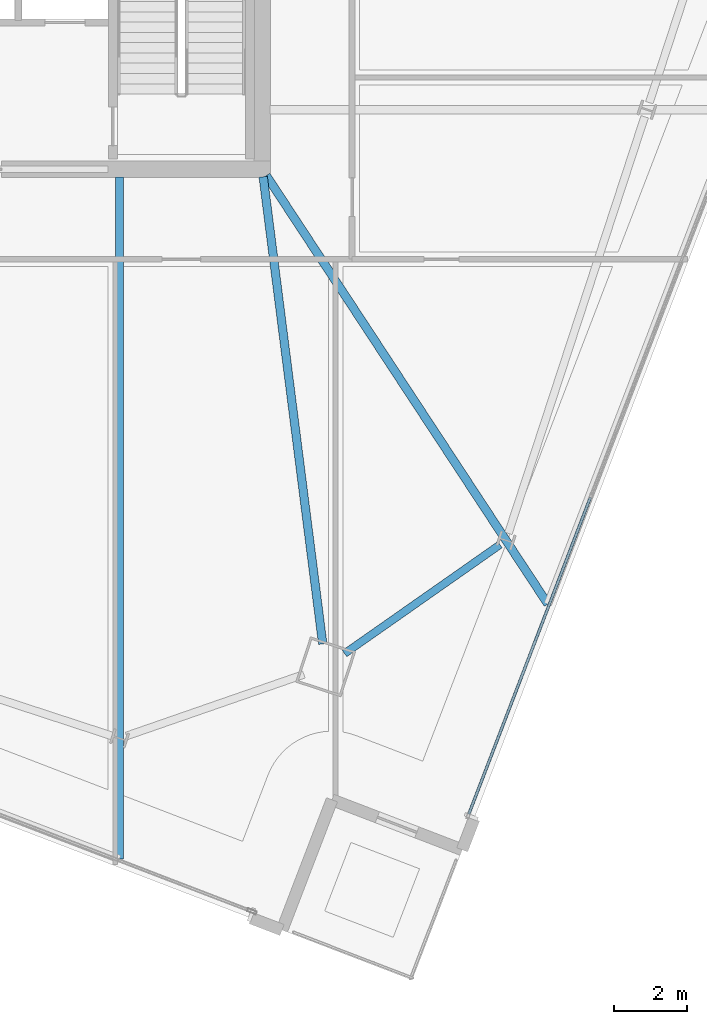
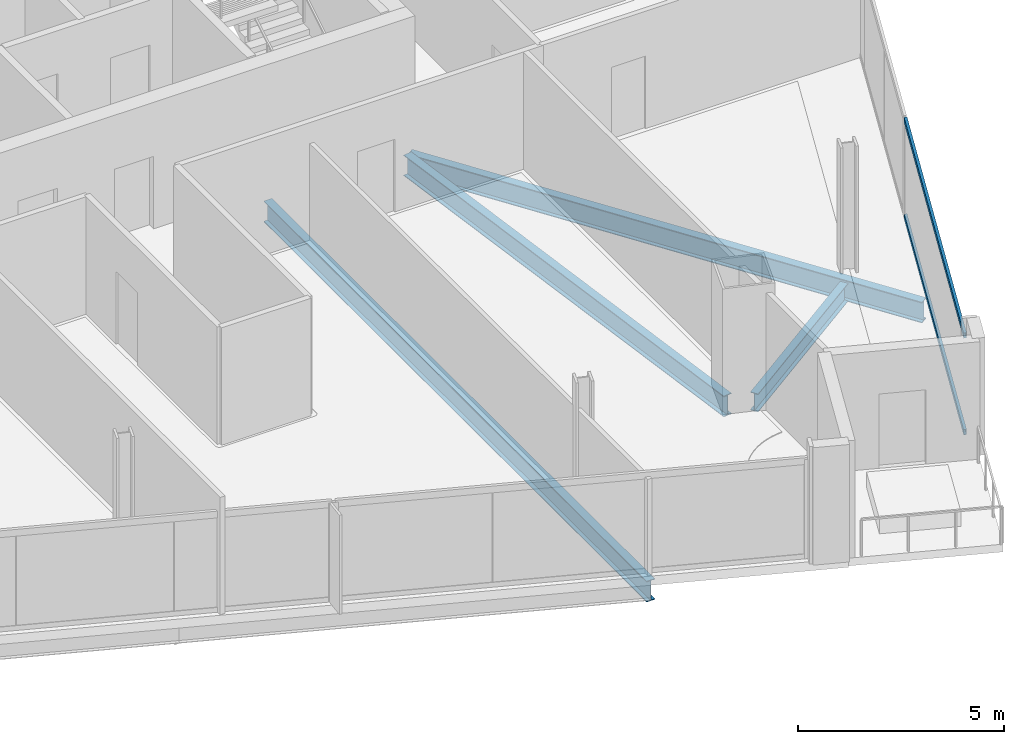
# One storey, part 9 of 27: 4 beams, 2 members, 1 element without a shape of its own.
"""IFC4 building model written with IfcOpenShell, lengths in metres."""

from ifc_helpers import new_model, si_unit, direction, frame, origin, origin_2d, place, context, subcontext, project, spatial, hollow_rectangle, i_section, extrude, material, material_profile, profile_set, type_object, element, aggregate, save


model = new_model("IFC4")

# Units and contexts
model_context = context("Model", 3, precision=1e-05, world=origin(), true_north=direction((0.0, 1.0)))
body_context = subcontext(model_context, "Body", "Model", "MODEL_VIEW")
ifc_project = project(units=[si_unit("LENGTHUNIT", "METRE"), si_unit("AREAUNIT", "SQUARE_METRE"), si_unit("VOLUMEUNIT", "CUBIC_METRE"), si_unit("PLANEANGLEUNIT", "RADIAN"), si_unit("MASSUNIT", "GRAM", prefix="KILO")], contexts=[model_context])

# Site, building, storey
site_placement = place(None, origin())
site = spatial("IfcSite", under=ifc_project, at=site_placement, CompositionType="ELEMENT")
building_placement = place(site_placement, origin())
building = spatial("IfcBuilding", under=site, at=building_placement, Name="Haldenkirk Collegiate Tower", CompositionType="ELEMENT")
storey_placement = place(building_placement, frame((0.0, 0.0, 259.949951171875)))
storey = spatial("IfcBuildingStorey", under=building, at=storey_placement, Name="L65", CompositionType="ELEMENT", Elevation=259.949951171875)

# Beams
ifc_material_1 = material(Name="Steel ASTM A992 Grade 50", Category="steel")
ifc_material_profile_1 = material_profile(ifc_material_1, i_section(OverallWidth=0.22998046875, OverallDepth=0.616943359375, WebThickness=0.01318359375, FlangeThickness=0.022216796875, at=origin_2d()), Name="W24X94")
ifc_profile_set_1 = profile_set([ifc_material_profile_1], Name="Steel ASTM A992 Grade 50")
beam_type_1 = type_object("IfcBeamType", Name="BM-GIRDER-W24X94", PredefinedType="BEAM", material=ifc_profile_set_1)
beam_1_placement = place(storey_placement, frame((46.6484375, 5.0693359375, -0.578369140625), z_axis=(-0.126462976839, 0.991971327957, 0.0), x_axis=(-0.991971327957, -0.126462976839, 0.0)))
element("IfcBeam", 1, at=beam_1_placement, inside=storey, type_object=beam_type_1, Name="L65 primary floor girder 01", PredefinedType="BEAM", context=body_context, shape_type="SweptSolid", body=[
    extrude(i_section(OverallWidth=0.22998046875, OverallDepth=0.616943359375, WebThickness=0.01318359375, FlangeThickness=0.022216796875, at=origin_2d()), origin(), (0.0, 0.0, 1.0), 12.830322265625),
])
beam_2_placement = place(storey_placement, frame((52.78271484375, 6.154296875, -0.578369140625), z_axis=(-0.549101505978, 0.835755667724, 0.0), x_axis=(-0.835755667724, -0.549101505978, 0.0)))
element("IfcBeam", 2, at=beam_2_placement, inside=storey, type_object=beam_type_1, Name="L65 primary floor girder 05", PredefinedType="BEAM", context=body_context, shape_type="SweptSolid", body=[
    extrude(i_section(OverallWidth=0.22998046875, OverallDepth=0.616943359375, WebThickness=0.01318359375, FlangeThickness=0.022216796875, at=origin_2d()), origin(), (0.0, 0.0, 1.0), 13.968505859375),
])
beam_3_placement = place(storey_placement, frame((41.111083984375, -0.791015625, -0.578369140625), z_axis=(0.0, 1.0, 0.0), x_axis=(-1.0, 0.0, 0.0)))
element("IfcBeam", 3, at=beam_3_placement, inside=storey, type_object=beam_type_1, Name="L65 primary floor girder 16", PredefinedType="BEAM", context=body_context, shape_type="SweptSolid", body=[
    extrude(i_section(OverallWidth=0.22998046875, OverallDepth=0.616943359375, WebThickness=0.01318359375, FlangeThickness=0.022216796875, at=origin_2d()), origin(), (0.0, 0.0, 1.0), 18.5859375),
])
ifc_material_profile_2 = material_profile(ifc_material_1, i_section(OverallWidth=0.2099609375, OverallDepth=0.537109375, WebThickness=0.010986328125, FlangeThickness=0.017333984375, at=origin_2d()), Name="W21X68")
ifc_profile_set_2 = profile_set([ifc_material_profile_2], Name="Steel ASTM A992 Grade 50")
beam_type_2 = type_object("IfcBeamType", Name="BM-SPANDREL-W21X68", PredefinedType="SPANDREL", material=ifc_profile_set_2)
beam_4_placement = place(storey_placement, frame((47.243896484375, 4.805908203125, -0.538330078125), z_axis=(0.818943373955, 0.573874333156, 0.0), x_axis=(-0.573874333156, 0.818943373955, 0.0)))
element("IfcBeam", 4, at=beam_4_placement, inside=storey, type_object=beam_type_2, Name="L65 perimeter spandrel beam 01", PredefinedType="SPANDREL", context=body_context, shape_type="SweptSolid", body=[
    extrude(i_section(OverallWidth=0.2099609375, OverallDepth=0.537109375, WebThickness=0.010986328125, FlangeThickness=0.017333984375, at=origin_2d()), origin(), (0.0, 0.0, 1.0), 5.16943359375),
])

# Curtain wall, members
ifc_material_2 = material(Name="Anodised architectural bronze aluminium", Category="aluminium")
curtain_wall_type = type_object("IfcCurtainWallType", Name="CW-SYS2-CONCAVE", PredefinedType="USERDEFINED", material=ifc_material_2)
curtain_wall_placement = place(storey_placement, origin())
curtain_wall = element("IfcCurtainWall", 5, at=curtain_wall_placement, inside=storey, type_object=curtain_wall_type, Name="L65 South concave recessed bronze-anodised curtain wall", ObjectType="UNITISED CURTAIN WALL", PredefinedType="USERDEFINED")
ifc_material_profile_3 = material_profile(ifc_material_2, hollow_rectangle(XDim=0.074951171875, YDim=0.159912109375, WallThickness=0.0048828125, at=origin_2d()), Name="CW-TRN-02")
ifc_profile_set_3 = profile_set([ifc_material_profile_3], Name="Anodised architectural bronze aluminium")
member_type = type_object("IfcMemberType", Name="CW-TRN-02", PredefinedType="USERDEFINED", material=ifc_profile_set_3)
member_1_placement = place(storey_placement, frame((53.940185546875, 9.05810546875, 0.03759765625), z_axis=(-0.358376859984, -0.933577006052, 0.0), x_axis=(0.933577006052, -0.358376859984, 0.0)))
member_1 = element("IfcMember", 6, at=member_1_placement, type_object=member_type, Name="CW-02 transom 4.1", ObjectType="TRANSOM", PredefinedType="USERDEFINED", context=body_context, shape_type="SweptSolid", body=[
    extrude(hollow_rectangle(XDim=0.074951171875, YDim=0.159912109375, WallThickness=0.0048828125, at=origin_2d()), origin(), (0.0, 0.0, 1.0), 9.237548828125),
])
member_2_placement = place(storey_placement, frame((53.940185546875, 9.05810546875, 2.900634765625), z_axis=(-0.358376859984, -0.933577006052, 0.0), x_axis=(0.933577006052, -0.358376859984, 0.0)))
member_2 = element("IfcMember", 7, at=member_2_placement, type_object=member_type, Name="CW-02 transom 4.2", ObjectType="TRANSOM", PredefinedType="USERDEFINED", context=body_context, shape_type="SweptSolid", body=[
    extrude(hollow_rectangle(XDim=0.074951171875, YDim=0.159912109375, WallThickness=0.0048828125, at=origin_2d()), origin(), (0.0, 0.0, 1.0), 9.237548828125),
])
aggregate(curtain_wall, [member_1, member_2])

save(model, "model.ifc")
